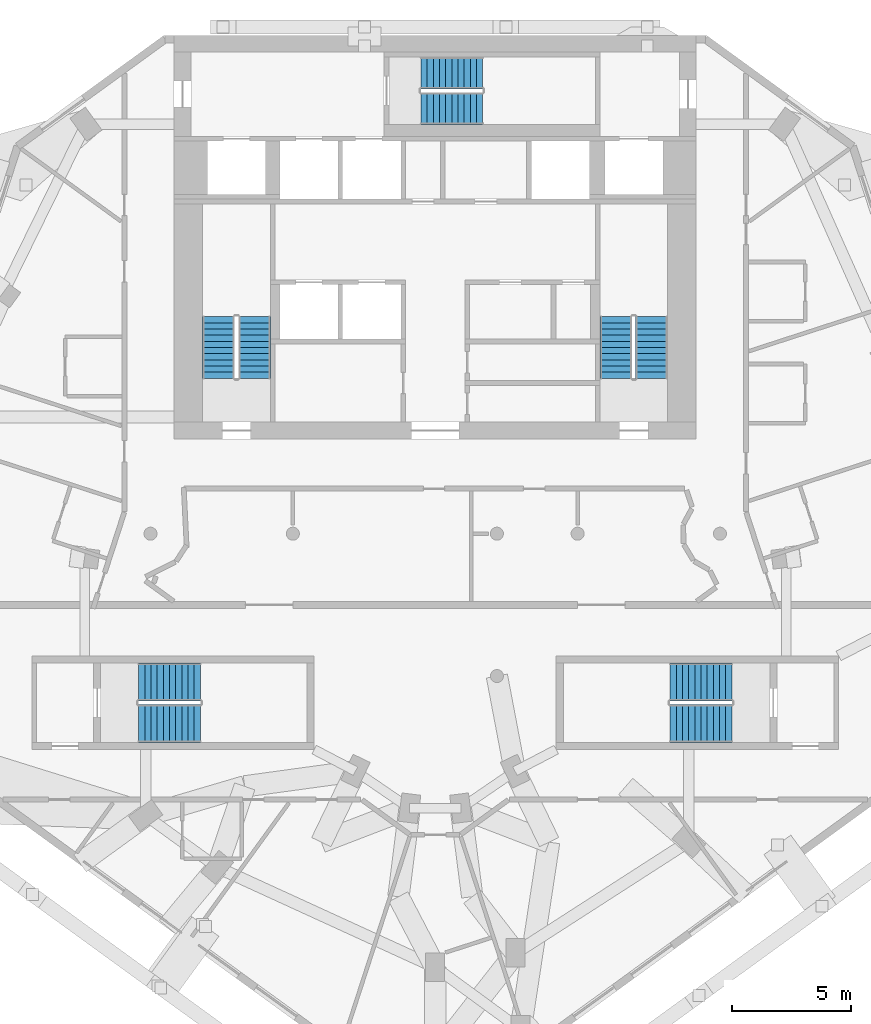
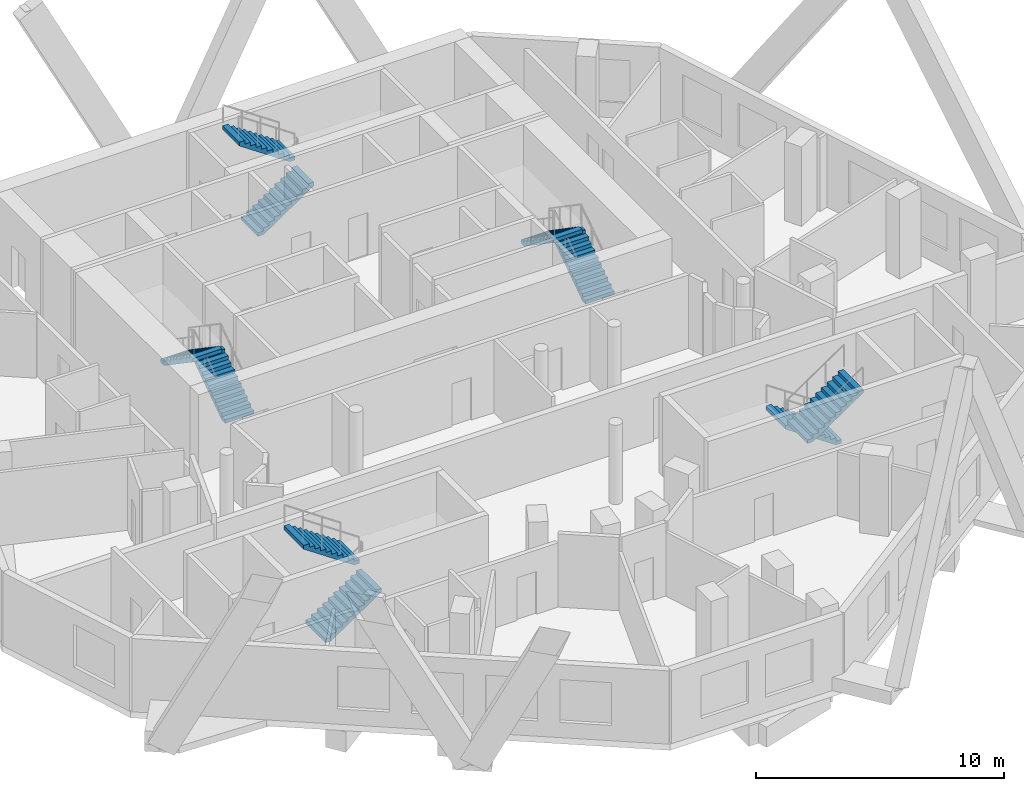
# One storey, part 8 of 10: 10 stair flights, 5 elements without a shape of their own.
"""IFC4 building model written with IfcOpenShell, lengths in metres."""

import ifcopenshell
import ifcopenshell.guid

model = None  # the IFC model being written
_history = None  # IfcOwnerHistory: only IFC2X3 demands one
_inside = {}  # id of a spatial element -> (the spatial element, [elements in it])
_under = {}  # id of a project, library or spatial element -> (it, [spatial elements below it])
_declared = {}  # id of a project -> (the project, [libraries it declares])
_typed = {}  # id of a type object -> (the type object, [elements of that type])
_made_of = {}  # id of a material, layer set ... -> (it, [elements and type objects made of it])


def new_model(schema):
    """Start an empty IFC model of exactly this schema.

    Asked for "IFC4X3", IfcOpenShell would pick the latest addendum, in which some entities
    have other attributes; the version numbers below select the first issue.
    IFC2X3 requires an IfcOwnerHistory on every rooted entity: one is made here for all.
    """
    global model, _history
    if schema == "IFC4X3":
        model = ifcopenshell.file(schema_version=(4, 3, 0, 0))
    else:
        model = ifcopenshell.file(schema=schema)
    _inside.clear()
    _under.clear()
    _declared.clear()
    _typed.clear()
    _made_of.clear()
    _history = None
    if model.schema == "IFC2X3":
        org = make("IfcOrganization", Name="unknown")
        user = make(
            "IfcPersonAndOrganization",
            ThePerson=make("IfcPerson", FamilyName="unknown"),
            TheOrganization=org,
        )
        app = make(
            "IfcApplication",
            ApplicationDeveloper=org,
            Version="unknown",
            ApplicationFullName="unknown",
            ApplicationIdentifier="unknown",
        )
        _history = make(
            "IfcOwnerHistory",
            OwningUser=user,
            OwningApplication=app,
            ChangeAction="ADDED",
            CreationDate=0,
        )
    return model


def make(cls, **values):
    """One entity of the class cls with the attributes given. An attribute that is None is left unset."""
    return model.create_entity(
        cls, **{name: value for name, value in values.items() if value is not None}
    )


def rooted(cls, **values):
    """An entity with a GlobalId (a new one), such as an element, a storey or a relation."""
    return make(cls, GlobalId=ifcopenshell.guid.new(), OwnerHistory=_history, **values)


def si_unit(unit_type, name, prefix=None):
    """IfcSIUnit, for example si_unit("LENGTHUNIT", "METRE", prefix="MILLI")."""
    return make("IfcSIUnit", UnitType=unit_type, Prefix=prefix, Name=name)


def assignment(units):
    """IfcUnitAssignment: the units of a project."""
    return None if units is None else make("IfcUnitAssignment", Units=units)


def point(xyz):
    """IfcCartesianPoint."""
    return None if xyz is None else make("IfcCartesianPoint", Coordinates=xyz)


def direction(xyz):
    """IfcDirection."""
    return None if xyz is None else make("IfcDirection", DirectionRatios=xyz)


def frame(location, z_axis=None, x_axis=None):
    """IfcAxis2Placement3D, a coordinate frame: its origin and axes. An axis left out is left unset."""
    return make(
        "IfcAxis2Placement3D",
        Location=point(location),
        Axis=direction(z_axis),
        RefDirection=direction(x_axis),
    )


def origin():
    """The frame at (0, 0, 0) with its axes left unset."""
    return frame((0.0, 0.0, 0.0))


def place(relative_to, where):
    """IfcLocalPlacement: puts the frame where relative to a parent placement (None: the world)."""
    return make(
        "IfcLocalPlacement", PlacementRelTo=relative_to, RelativePlacement=where
    )


def context(
    kind, dimensions, precision=None, world=None, true_north=None, identifier=None
):
    """IfcGeometricRepresentationContext, for example the 3D "Model" context."""
    return make(
        "IfcGeometricRepresentationContext",
        ContextIdentifier=identifier,
        ContextType=kind,
        CoordinateSpaceDimension=dimensions,
        Precision=precision,
        WorldCoordinateSystem=world,
        TrueNorth=true_north,
    )


def subcontext(parent, identifier, kind, view, scale=None):
    """IfcGeometricRepresentationSubContext, for example "Body" below "Model"."""
    return make(
        "IfcGeometricRepresentationSubContext",
        ContextIdentifier=identifier,
        ContextType=kind,
        ParentContext=parent,
        TargetScale=scale,
        TargetView=view,
    )


def project(units=None, contexts=None):
    """IfcProject with its units and contexts."""
    return rooted(
        "IfcProject",
        Name="project",
        RepresentationContexts=contexts,
        UnitsInContext=assignment(units),
    )


def spatial(cls, under=None, at=None, **own):
    """A site, building, storey or space (cls), placed at a placement, below another one or the project."""
    s = rooted(cls, ObjectPlacement=at, **own)
    if under is not None:
        _under.setdefault(under.id(), (under, []))[1].append(s)
    return s


def polyline(points):
    """IfcPolyline through the points."""
    return make("IfcPolyline", Points=[point(p) for p in points])


def outline(outer, holes=None, kind="AREA"):
    """IfcArbitraryClosedProfileDef: a profile drawn as a closed curve; with holes, ...WithVoids."""
    if holes is None:
        return make("IfcArbitraryClosedProfileDef", ProfileType=kind, OuterCurve=outer)
    return make(
        "IfcArbitraryProfileDefWithVoids",
        ProfileType=kind,
        OuterCurve=outer,
        InnerCurves=holes,
    )


def extrude(swept, where, along, depth):
    """IfcExtrudedAreaSolid: the profile swept, set in the frame where, extruded along a direction by depth."""
    return make(
        "IfcExtrudedAreaSolid",
        SweptArea=swept,
        Position=where,
        ExtrudedDirection=direction(along),
        Depth=depth,
    )


def shape(context_of_items, identifier, shape_type, items):
    """IfcShapeRepresentation: the items that make up one representation, for example the "Body"."""
    return make(
        "IfcShapeRepresentation",
        ContextOfItems=context_of_items,
        RepresentationIdentifier=identifier,
        RepresentationType=shape_type,
        Items=items,
    )


def material(Name=None, Category=None):
    """IfcMaterial."""
    return make("IfcMaterial", Name=Name, Category=Category)


def layer(
    of_material, thickness, ventilated=None, Name=None, Category=None, Priority=None
):
    """IfcMaterialLayer: one layer of a wall or slab, of a material (None: an air gap)."""
    return make(
        "IfcMaterialLayer",
        Material=of_material,
        LayerThickness=thickness,
        IsVentilated=ventilated,
        Name=Name,
        Category=Category,
        Priority=Priority,
    )


def layer_set(layers, Name=None):
    """IfcMaterialLayerSet."""
    return make("IfcMaterialLayerSet", MaterialLayers=layers, LayerSetName=Name)


def made_of(thing, what):
    """Note that an element or type object is made of a material, layer set ...; save() writes the relation."""
    if what is not None:
        _made_of.setdefault(what.id(), (what, []))[1].append(thing)
    return thing


def type_object(cls, material=None, **own):
    """A type object (cls), such as IfcWallType, which elements share."""
    return made_of(rooted(cls, **own), material)


def element(
    cls,
    number,
    at=None,
    inside=None,
    cuts=None,
    type_object=None,
    material=None,
    context=None,
    identifier="Body",
    shape_type=None,
    held_by="IfcProductDefinitionShape",
    body=None,
    shapes=None,
    **own,
):
    """One element of the class cls, such as IfcWall. Its Tag is "e" and its number.

    at: its placement. inside: the storey or other place that contains it. cuts: it is an
    opening in that element (IfcRelVoidsElement). A single representation is given by context,
    identifier, shape_type and body (its items); several are given by shapes. held_by: the class
    of the entity that holds the representations. save() writes the other relations.
    """
    e = rooted(cls, Tag="e%d" % number, ObjectPlacement=at, **own)
    if body is not None:
        shapes = [shape(context, identifier, shape_type, body)]
    if shapes is not None:
        e.Representation = make(held_by, Representations=shapes)
    if inside is not None:
        _inside.setdefault(inside.id(), (inside, []))[1].append(e)
    if cuts is not None:
        rooted(
            "IfcRelVoidsElement", RelatingBuildingElement=cuts, RelatedOpeningElement=e
        )
    if type_object is not None:
        _typed.setdefault(type_object.id(), (type_object, []))[1].append(e)
    return made_of(e, material)


def aggregate(whole, parts):
    """IfcRelAggregates: a whole, such as a stair, and the parts it consists of."""
    return rooted("IfcRelAggregates", RelatingObject=whole, RelatedObjects=parts)


def save(model, path):
    """Write the relations noted so far, then the file.

    IfcRelAggregates (storeys below a building ...), IfcRelContainedInSpatialStructure (elements
    in a storey), IfcRelDefinesByType, IfcRelAssociatesMaterial and IfcRelDeclares: one each for
    every whole, place, type object, material and project.
    """
    for whole, parts in _under.values():
        aggregate(whole, parts)
    for where, things in _inside.values():
        rooted(
            "IfcRelContainedInSpatialStructure",
            RelatedElements=things,
            RelatingStructure=where,
        )
    for kind, things in _typed.values():
        rooted("IfcRelDefinesByType", RelatedObjects=things, RelatingType=kind)
    for what, things in _made_of.values():
        rooted("IfcRelAssociatesMaterial", RelatedObjects=things, RelatingMaterial=what)
    for by, libraries in _declared.values():
        rooted("IfcRelDeclares", RelatingContext=by, RelatedDefinitions=libraries)
    model.write(path)


model = new_model("IFC4")

# Units and contexts
model_context = context("Model", 3, precision=1e-05, world=origin(), true_north=direction((0.0, 1.0)))
body_context = subcontext(model_context, "Body", "Model", "MODEL_VIEW")
ifc_project = project(units=[si_unit("LENGTHUNIT", "METRE"), si_unit("AREAUNIT", "SQUARE_METRE"), si_unit("VOLUMEUNIT", "CUBIC_METRE"), si_unit("PLANEANGLEUNIT", "RADIAN"), si_unit("MASSUNIT", "GRAM", prefix="KILO")], contexts=[model_context])

# Site, building, storey
site_placement = place(None, origin())
site = spatial("IfcSite", under=ifc_project, at=site_placement, CompositionType="ELEMENT")
building_placement = place(site_placement, origin())
building = spatial("IfcBuilding", under=site, at=building_placement, Name="White Candle Pilgrim Tower", CompositionType="ELEMENT")
storey_placement = place(building_placement, frame((0.0, 0.0, 248.300048828125)))
storey = spatial("IfcBuildingStorey", under=building, at=storey_placement, Name="L58", CompositionType="ELEMENT", Elevation=248.300048828125)

# Stair, stair flights
ifc_material = material(Name="Concrete C40/50", Category="concrete")
stair_type_1 = type_object("IfcStairType", Name="Exit stair 1 flight width 1350 mm", PredefinedType="HALF_TURN_STAIR", material=ifc_material)
stair_1_placement = place(storey_placement, origin())
stair_1 = element("IfcStair", 1, at=stair_1_placement, inside=storey, type_object=stair_type_1, Name="L58 stair 1", PredefinedType="NOTDEFINED")
ifc_layer = layer(ifc_material, 0.14990234375)
ifc_layer_set = layer_set([ifc_layer], Name="Stair flight Concrete C40/50")
stair_flight_type = type_object("IfcStairFlightType", Name="Stair flight Concrete C40/50", PredefinedType="STRAIGHT", material=ifc_layer_set)
stair_flight_1_placement = place(storey_placement, frame((62.375, 73.550048828125, 0.0), z_axis=(0.0, 0.0, 1.0), x_axis=(0.0, 1.0, 0.0)))
stair_flight_1 = element("IfcStairFlight", 2, at=stair_flight_1_placement, type_object=stair_flight_type, Name="ST1 flight 1", NumberOfRisers=11, NumberOfTreads=10, PredefinedType="NOTDEFINED", RiserHeight=0.177272727, TreadLength=0.26, context=body_context, shape_type="SweptSolid", body=[
    extrude(outline(polyline([(0.0, 0.0), (0.0, 0.17724609375), (0.260009765625, 0.17724609375), (0.260009765625, 0.3544921875), (0.52001953125, 0.3544921875), (0.52001953125, 0.53173828125), (0.780029296875, 0.53173828125), (0.780029296875, 0.708984375), (1.0400390625, 0.708984375), (1.0400390625, 0.886474609375), (1.300048828125, 0.886474609375), (1.300048828125, 1.063720703125), (1.56005859375, 1.063720703125), (1.56005859375, 1.240966796875), (1.820068359375, 1.240966796875), (1.820068359375, 1.418212890625), (2.080078125, 1.418212890625), (2.080078125, 1.595458984375), (2.340087890625, 1.595458984375), (2.340087890625, 1.772705078125), (2.60009765625, 1.772705078125), (2.60009765625, 1.949951171875), (2.60009765625, 1.59130859375), (0.26611328125, 0.0), (0.0, 0.0)])), frame((0.0, 0.675048828125, 0.0), z_axis=(0.0, -1.0, 0.0), x_axis=(1.0, 0.0, 0.0)), (0.0, 0.0, 1.0), 1.35009765625),
])
stair_flight_2_placement = place(storey_placement, frame((60.875, 76.14990234375, 1.949951171875), z_axis=(0.0, 0.0, 1.0), x_axis=(0.0, -1.0, 0.0)))
stair_flight_2 = element("IfcStairFlight", 3, at=stair_flight_2_placement, type_object=stair_flight_type, Name="ST1 flight 2", NumberOfRisers=11, NumberOfTreads=10, PredefinedType="NOTDEFINED", RiserHeight=0.177272727, TreadLength=0.26, context=body_context, shape_type="SweptSolid", body=[
    extrude(outline(polyline([(0.0, 0.0), (0.0, 0.17724609375), (0.260009765625, 0.17724609375), (0.260009765625, 0.3544921875), (0.52001953125, 0.3544921875), (0.52001953125, 0.53173828125), (0.780029296875, 0.53173828125), (0.780029296875, 0.708984375), (1.0400390625, 0.708984375), (1.0400390625, 0.886474609375), (1.300048828125, 0.886474609375), (1.300048828125, 1.063720703125), (1.56005859375, 1.063720703125), (1.56005859375, 1.240966796875), (1.820068359375, 1.240966796875), (1.820068359375, 1.418212890625), (2.080078125, 1.418212890625), (2.080078125, 1.595458984375), (2.340087890625, 1.595458984375), (2.340087890625, 1.772705078125), (2.60009765625, 1.772705078125), (2.60009765625, 1.949951171875), (2.60009765625, 1.59130859375), (0.26611328125, 0.0), (0.0, 0.0)])), frame((0.0, 0.675048828125, 0.0), z_axis=(0.0, -1.0, 0.0), x_axis=(1.0, 0.0, 0.0)), (0.0, 0.0, 1.0), 1.35009765625),
])
aggregate(stair_1, [stair_flight_1, stair_flight_2])

stair_type_2 = type_object("IfcStairType", Name="Exit stair 2 flight width 1350 mm", PredefinedType="HALF_TURN_STAIR", material=ifc_material)
stair_2_placement = place(storey_placement, origin())
stair_2 = element("IfcStair", 4, at=stair_2_placement, inside=storey, type_object=stair_type_2, Name="L58 stair 2", PredefinedType="NOTDEFINED")
stair_flight_3_placement = place(storey_placement, frame((79.125, 73.550048828125, 0.0), z_axis=(0.0, 0.0, 1.0), x_axis=(0.0, 1.0, 0.0)))
stair_flight_3 = element("IfcStairFlight", 5, at=stair_flight_3_placement, type_object=stair_flight_type, Name="ST2 flight 1", NumberOfRisers=11, NumberOfTreads=10, PredefinedType="NOTDEFINED", RiserHeight=0.177272727, TreadLength=0.26, context=body_context, shape_type="SweptSolid", body=[
    extrude(outline(polyline([(0.0, 0.0), (0.0, 0.17724609375), (0.260009765625, 0.17724609375), (0.260009765625, 0.3544921875), (0.52001953125, 0.3544921875), (0.52001953125, 0.53173828125), (0.780029296875, 0.53173828125), (0.780029296875, 0.708984375), (1.0400390625, 0.708984375), (1.0400390625, 0.886474609375), (1.300048828125, 0.886474609375), (1.300048828125, 1.063720703125), (1.56005859375, 1.063720703125), (1.56005859375, 1.240966796875), (1.820068359375, 1.240966796875), (1.820068359375, 1.418212890625), (2.080078125, 1.418212890625), (2.080078125, 1.595458984375), (2.340087890625, 1.595458984375), (2.340087890625, 1.772705078125), (2.60009765625, 1.772705078125), (2.60009765625, 1.949951171875), (2.60009765625, 1.59130859375), (0.26611328125, 0.0), (0.0, 0.0)])), frame((0.0, 0.675048828125, 0.0), z_axis=(0.0, -1.0, 0.0), x_axis=(1.0, 0.0, 0.0)), (0.0, 0.0, 1.0), 1.35009765625),
])
stair_flight_4_placement = place(storey_placement, frame((77.625, 76.14990234375, 1.949951171875), z_axis=(0.0, 0.0, 1.0), x_axis=(0.0, -1.0, 0.0)))
stair_flight_4 = element("IfcStairFlight", 6, at=stair_flight_4_placement, type_object=stair_flight_type, Name="ST2 flight 2", NumberOfRisers=11, NumberOfTreads=10, PredefinedType="NOTDEFINED", RiserHeight=0.177272727, TreadLength=0.26, context=body_context, shape_type="SweptSolid", body=[
    extrude(outline(polyline([(0.0, 0.0), (0.0, 0.17724609375), (0.260009765625, 0.17724609375), (0.260009765625, 0.3544921875), (0.52001953125, 0.3544921875), (0.52001953125, 0.53173828125), (0.780029296875, 0.53173828125), (0.780029296875, 0.708984375), (1.0400390625, 0.708984375), (1.0400390625, 0.886474609375), (1.300048828125, 0.886474609375), (1.300048828125, 1.063720703125), (1.56005859375, 1.063720703125), (1.56005859375, 1.240966796875), (1.820068359375, 1.240966796875), (1.820068359375, 1.418212890625), (2.080078125, 1.418212890625), (2.080078125, 1.595458984375), (2.340087890625, 1.595458984375), (2.340087890625, 1.772705078125), (2.60009765625, 1.772705078125), (2.60009765625, 1.949951171875), (2.60009765625, 1.59130859375), (0.26611328125, 0.0), (0.0, 0.0)])), frame((0.0, 0.675048828125, 0.0), z_axis=(0.0, -1.0, 0.0), x_axis=(1.0, 0.0, 0.0)), (0.0, 0.0, 1.0), 1.35009765625),
])
aggregate(stair_2, [stair_flight_3, stair_flight_4])

stair_type_3 = type_object("IfcStairType", Name="Exit stair 3 flight width 1350 mm", PredefinedType="HALF_TURN_STAIR", material=ifc_material)
stair_3_placement = place(storey_placement, origin())
stair_3 = element("IfcStair", 7, at=stair_3_placement, inside=storey, type_object=stair_type_3, Name="L58 stair 3", PredefinedType="NOTDEFINED")
stair_flight_5_placement = place(storey_placement, frame((69.39990234375, 84.925048828125, 0.0), z_axis=(0.0, 0.0, 1.0), x_axis=(1.0, 0.0, 0.0)))
stair_flight_5 = element("IfcStairFlight", 8, at=stair_flight_5_placement, type_object=stair_flight_type, Name="ST3 flight 1", NumberOfRisers=11, NumberOfTreads=10, PredefinedType="NOTDEFINED", RiserHeight=0.177272727, TreadLength=0.26, context=body_context, shape_type="SweptSolid", body=[
    extrude(outline(polyline([(0.0, 0.0), (0.0, 0.17724609375), (0.260009765625, 0.17724609375), (0.260009765625, 0.3544921875), (0.52001953125, 0.3544921875), (0.52001953125, 0.53173828125), (0.780029296875, 0.53173828125), (0.780029296875, 0.708984375), (1.0400390625, 0.708984375), (1.0400390625, 0.886474609375), (1.300048828125, 0.886474609375), (1.300048828125, 1.063720703125), (1.56005859375, 1.063720703125), (1.56005859375, 1.240966796875), (1.820068359375, 1.240966796875), (1.820068359375, 1.418212890625), (2.080078125, 1.418212890625), (2.080078125, 1.595458984375), (2.340087890625, 1.595458984375), (2.340087890625, 1.772705078125), (2.60009765625, 1.772705078125), (2.60009765625, 1.949951171875), (2.60009765625, 1.59130859375), (0.26611328125, 0.0), (0.0, 0.0)])), frame((0.0, 0.675048828125, 0.0), z_axis=(0.0, -1.0, 0.0), x_axis=(1.0, 0.0, 0.0)), (0.0, 0.0, 1.0), 1.35009765625),
])
stair_flight_6_placement = place(storey_placement, frame((72.0, 86.425048828125, 1.949951171875), z_axis=(0.0, 0.0, 1.0), x_axis=(-1.0, 0.0, 0.0)))
stair_flight_6 = element("IfcStairFlight", 9, at=stair_flight_6_placement, type_object=stair_flight_type, Name="ST3 flight 2", NumberOfRisers=11, NumberOfTreads=10, PredefinedType="NOTDEFINED", RiserHeight=0.177272727, TreadLength=0.26, context=body_context, shape_type="SweptSolid", body=[
    extrude(outline(polyline([(0.0, 0.0), (0.0, 0.17724609375), (0.260009765625, 0.17724609375), (0.260009765625, 0.3544921875), (0.52001953125, 0.3544921875), (0.52001953125, 0.53173828125), (0.780029296875, 0.53173828125), (0.780029296875, 0.708984375), (1.0400390625, 0.708984375), (1.0400390625, 0.886474609375), (1.300048828125, 0.886474609375), (1.300048828125, 1.063720703125), (1.56005859375, 1.063720703125), (1.56005859375, 1.240966796875), (1.820068359375, 1.240966796875), (1.820068359375, 1.418212890625), (2.080078125, 1.418212890625), (2.080078125, 1.595458984375), (2.340087890625, 1.595458984375), (2.340087890625, 1.772705078125), (2.60009765625, 1.772705078125), (2.60009765625, 1.949951171875), (2.60009765625, 1.59130859375), (0.26611328125, 0.0), (0.0, 0.0)])), frame((0.0, 0.675048828125, 0.0), z_axis=(0.0, -1.0, 0.0), x_axis=(1.0, 0.0, 0.0)), (0.0, 0.0, 1.0), 1.35009765625),
])
aggregate(stair_3, [stair_flight_5, stair_flight_6])

stair_type_4 = type_object("IfcStairType", Name="Exit stair 4 flight width 1600 mm", PredefinedType="HALF_TURN_STAIR", material=ifc_material)
stair_4_placement = place(storey_placement, origin())
stair_4 = element("IfcStair", 10, at=stair_4_placement, inside=storey, type_object=stair_type_4, Name="L58 stair 4", PredefinedType="NOTDEFINED")
stair_flight_7_placement = place(storey_placement, frame((82.5, 60.75, 0.0), z_axis=(0.0, 0.0, 1.0), x_axis=(-1.0, 0.0, 0.0)))
stair_flight_7 = element("IfcStairFlight", 11, at=stair_flight_7_placement, type_object=stair_flight_type, Name="ST4 flight 1", NumberOfRisers=11, NumberOfTreads=10, PredefinedType="NOTDEFINED", RiserHeight=0.177272727, TreadLength=0.26, context=body_context, shape_type="SweptSolid", body=[
    extrude(outline(polyline([(0.0, 0.0), (0.0, 0.17724609375), (0.260009765625, 0.17724609375), (0.260009765625, 0.3544921875), (0.52001953125, 0.3544921875), (0.52001953125, 0.53173828125), (0.780029296875, 0.53173828125), (0.780029296875, 0.708984375), (1.0400390625, 0.708984375), (1.0400390625, 0.886474609375), (1.300048828125, 0.886474609375), (1.300048828125, 1.063720703125), (1.56005859375, 1.063720703125), (1.56005859375, 1.240966796875), (1.820068359375, 1.240966796875), (1.820068359375, 1.418212890625), (2.080078125, 1.418212890625), (2.080078125, 1.595458984375), (2.340087890625, 1.595458984375), (2.340087890625, 1.772705078125), (2.60009765625, 1.772705078125), (2.60009765625, 1.949951171875), (2.60009765625, 1.59130859375), (0.26611328125, 0.0), (0.0, 0.0)])), frame((0.0, 0.800048828125, 0.0), z_axis=(0.0, -1.0, 0.0), x_axis=(1.0, 0.0, 0.0)), (0.0, 0.0, 1.0), 1.60009765625),
])
stair_flight_8_placement = place(storey_placement, frame((79.89990234375, 59.0, 1.949951171875), z_axis=(0.0, 0.0, 1.0), x_axis=(1.0, 0.0, 0.0)))
stair_flight_8 = element("IfcStairFlight", 12, at=stair_flight_8_placement, type_object=stair_flight_type, Name="ST4 flight 2", NumberOfRisers=11, NumberOfTreads=10, PredefinedType="NOTDEFINED", RiserHeight=0.177272727, TreadLength=0.26, context=body_context, shape_type="SweptSolid", body=[
    extrude(outline(polyline([(0.0, 0.0), (0.0, 0.17724609375), (0.260009765625, 0.17724609375), (0.260009765625, 0.3544921875), (0.52001953125, 0.3544921875), (0.52001953125, 0.53173828125), (0.780029296875, 0.53173828125), (0.780029296875, 0.708984375), (1.0400390625, 0.708984375), (1.0400390625, 0.886474609375), (1.300048828125, 0.886474609375), (1.300048828125, 1.063720703125), (1.56005859375, 1.063720703125), (1.56005859375, 1.240966796875), (1.820068359375, 1.240966796875), (1.820068359375, 1.418212890625), (2.080078125, 1.418212890625), (2.080078125, 1.595458984375), (2.340087890625, 1.595458984375), (2.340087890625, 1.772705078125), (2.60009765625, 1.772705078125), (2.60009765625, 1.949951171875), (2.60009765625, 1.59130859375), (0.26611328125, 0.0), (0.0, 0.0)])), frame((0.0, 0.800048828125, 0.0), z_axis=(0.0, -1.0, 0.0), x_axis=(1.0, 0.0, 0.0)), (0.0, 0.0, 1.0), 1.60009765625),
])
aggregate(stair_4, [stair_flight_7, stair_flight_8])

stair_type_5 = type_object("IfcStairType", Name="Exit stair 5 flight width 1600 mm", PredefinedType="HALF_TURN_STAIR", material=ifc_material)
stair_5_placement = place(storey_placement, origin())
stair_5 = element("IfcStair", 13, at=stair_5_placement, inside=storey, type_object=stair_type_5, Name="L58 stair 5", PredefinedType="NOTDEFINED")
stair_flight_9_placement = place(storey_placement, frame((57.5, 59.0, 0.0), z_axis=(0.0, 0.0, 1.0), x_axis=(1.0, 0.0, 0.0)))
stair_flight_9 = element("IfcStairFlight", 14, at=stair_flight_9_placement, type_object=stair_flight_type, Name="ST5 flight 1", NumberOfRisers=11, NumberOfTreads=10, PredefinedType="NOTDEFINED", RiserHeight=0.177272727, TreadLength=0.26, context=body_context, shape_type="SweptSolid", body=[
    extrude(outline(polyline([(0.0, 0.0), (0.0, 0.17724609375), (0.260009765625, 0.17724609375), (0.260009765625, 0.3544921875), (0.52001953125, 0.3544921875), (0.52001953125, 0.53173828125), (0.780029296875, 0.53173828125), (0.780029296875, 0.708984375), (1.0400390625, 0.708984375), (1.0400390625, 0.886474609375), (1.300048828125, 0.886474609375), (1.300048828125, 1.063720703125), (1.56005859375, 1.063720703125), (1.56005859375, 1.240966796875), (1.820068359375, 1.240966796875), (1.820068359375, 1.418212890625), (2.080078125, 1.418212890625), (2.080078125, 1.595458984375), (2.340087890625, 1.595458984375), (2.340087890625, 1.772705078125), (2.60009765625, 1.772705078125), (2.60009765625, 1.949951171875), (2.60009765625, 1.59130859375), (0.26611328125, 0.0), (0.0, 0.0)])), frame((0.0, 0.800048828125, 0.0), z_axis=(0.0, -1.0, 0.0), x_axis=(1.0, 0.0, 0.0)), (0.0, 0.0, 1.0), 1.60009765625),
])
stair_flight_10_placement = place(storey_placement, frame((60.10009765625, 60.75, 1.949951171875), z_axis=(0.0, 0.0, 1.0), x_axis=(-1.0, 0.0, 0.0)))
stair_flight_10 = element("IfcStairFlight", 15, at=stair_flight_10_placement, type_object=stair_flight_type, Name="ST5 flight 2", NumberOfRisers=11, NumberOfTreads=10, PredefinedType="NOTDEFINED", RiserHeight=0.177272727, TreadLength=0.26, context=body_context, shape_type="SweptSolid", body=[
    extrude(outline(polyline([(0.0, 0.0), (0.0, 0.17724609375), (0.260009765625, 0.17724609375), (0.260009765625, 0.3544921875), (0.52001953125, 0.3544921875), (0.52001953125, 0.53173828125), (0.780029296875, 0.53173828125), (0.780029296875, 0.708984375), (1.0400390625, 0.708984375), (1.0400390625, 0.886474609375), (1.300048828125, 0.886474609375), (1.300048828125, 1.063720703125), (1.56005859375, 1.063720703125), (1.56005859375, 1.240966796875), (1.820068359375, 1.240966796875), (1.820068359375, 1.418212890625), (2.080078125, 1.418212890625), (2.080078125, 1.595458984375), (2.340087890625, 1.595458984375), (2.340087890625, 1.772705078125), (2.60009765625, 1.772705078125), (2.60009765625, 1.949951171875), (2.60009765625, 1.59130859375), (0.26611328125, 0.0), (0.0, 0.0)])), frame((0.0, 0.800048828125, 0.0), z_axis=(0.0, -1.0, 0.0), x_axis=(1.0, 0.0, 0.0)), (0.0, 0.0, 1.0), 1.60009765625),
])
aggregate(stair_5, [stair_flight_9, stair_flight_10])

save(model, "model.ifc")
